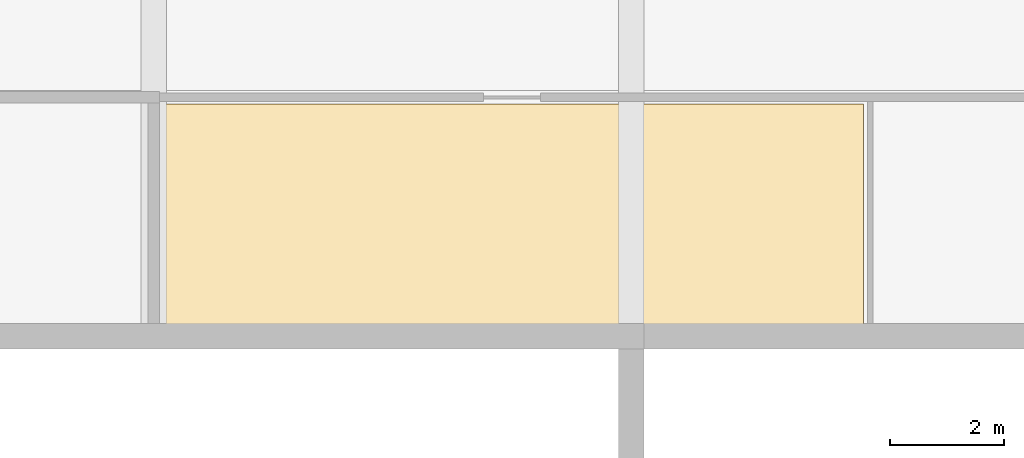
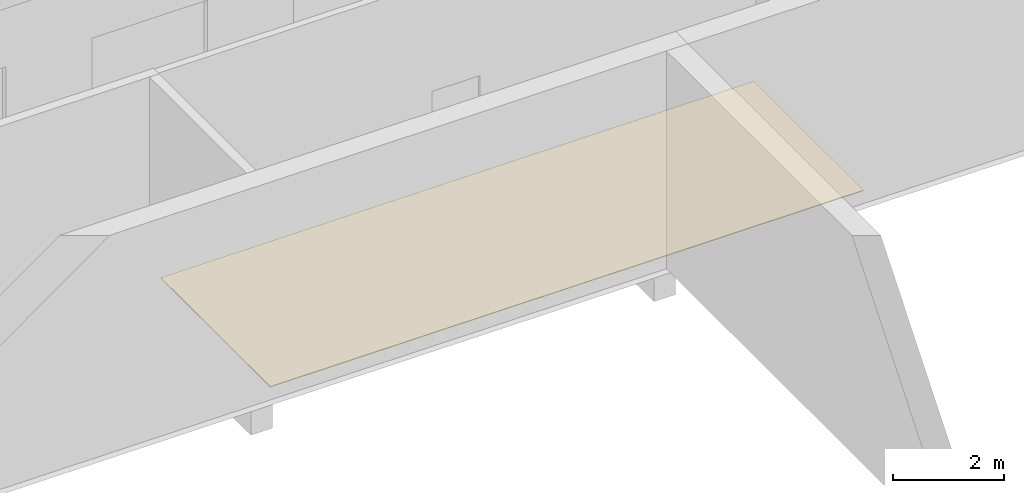
# One storey, part 78 of 86: 1 covering.
"""IFC4 building model written with IfcOpenShell, lengths in metres."""

from ifc_helpers import new_model, si_unit, direction, frame, origin, place, context, subcontext, project, spatial, polyline, outline, extrude, material, layer, layer_set, type_object, element, save


model = new_model("IFC4")

# Units and contexts
model_context = context("Model", 3, precision=1e-05, world=origin(), true_north=direction((0.0, 1.0)))
body_context = subcontext(model_context, "Body", "Model", "MODEL_VIEW")
ifc_project = project(units=[si_unit("LENGTHUNIT", "METRE"), si_unit("AREAUNIT", "SQUARE_METRE"), si_unit("VOLUMEUNIT", "CUBIC_METRE"), si_unit("PLANEANGLEUNIT", "RADIAN"), si_unit("MASSUNIT", "GRAM", prefix="KILO")], contexts=[model_context])

# Site, building, storey
site_placement = place(None, origin())
site = spatial("IfcSite", under=ifc_project, at=site_placement, CompositionType="ELEMENT")
building_placement = place(site_placement, origin())
building = spatial("IfcBuilding", under=site, at=building_placement, Name="Kiln Court Media Centre", CompositionType="ELEMENT")
storey_placement = place(building_placement, frame((0.0, 0.0, 10.199951171875)))
storey = spatial("IfcBuildingStorey", under=building, at=storey_placement, Name="L02", CompositionType="ELEMENT", Elevation=10.199951171875)

# Covering
ifc_material = material(Name="Carpet tile")
ifc_layer = layer(ifc_material, 0.014892578125)
ifc_layer_set = layer_set([ifc_layer], Name="Carpet tile floor finish 15")
covering_type = type_object("IfcCoveringType", Name="Carpet tile floor finish 15", PredefinedType="FLOORING", material=ifc_layer_set)
covering_placement = place(storey_placement, origin())
element("IfcCovering", 1, at=covering_placement, inside=storey, type_object=covering_type, Name="Cinema Staff Room floor finish", PredefinedType="FLOORING", context=body_context, shape_type="SweptSolid", body=[
    extrude(outline(polyline([(75.719970703125, 58.919921875), (88.080078125, 58.919921875), (88.080078125, 62.8798828125), (75.719970703125, 62.8798828125), (75.719970703125, 58.919921875)])), origin(), (0.0, 0.0, 1.0), 0.01513671875),
])

save(model, "model.ifc")
